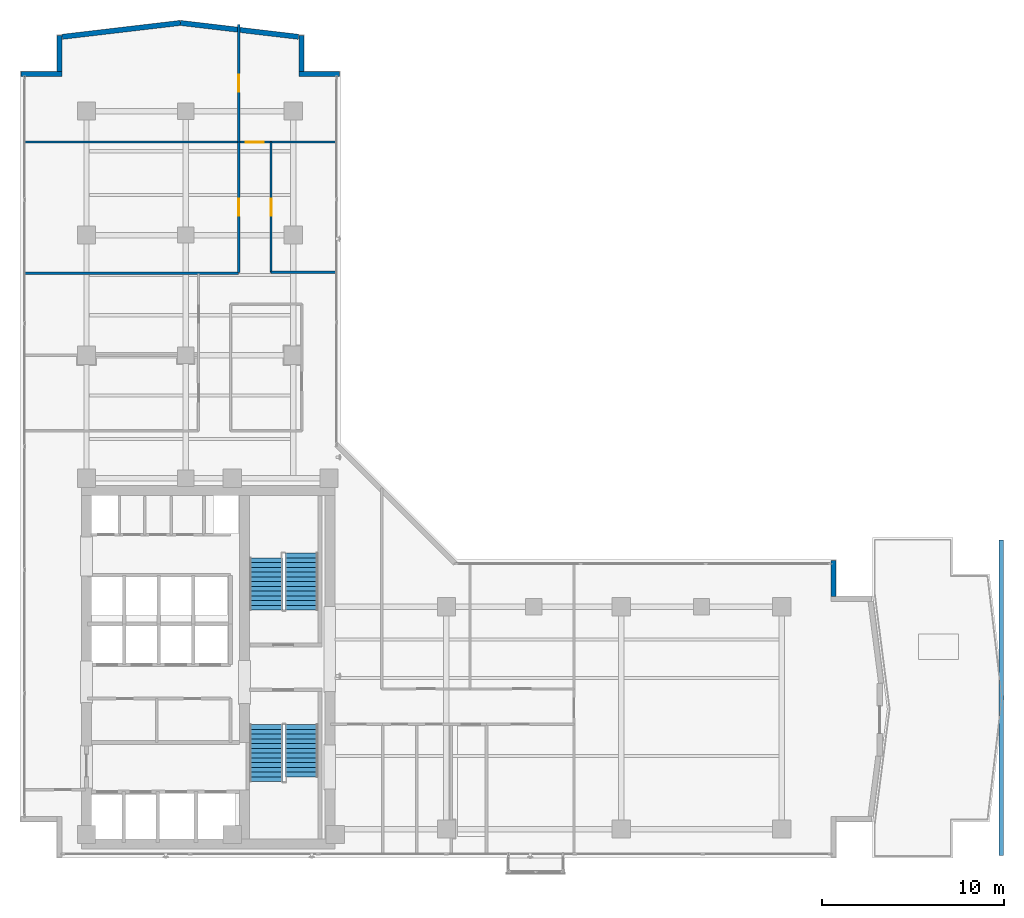
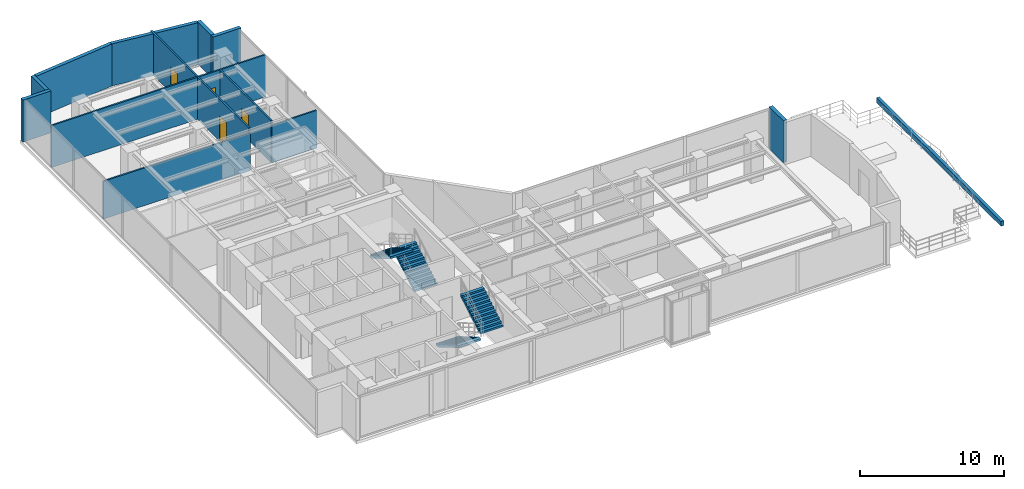
# One storey, part 19 of 25: 14 walls, 4 doors, 4 stair flights, 4 openings, 2 elements without a shape of their own.
"""IFC4 building model written with IfcOpenShell, lengths in metres."""

from ifc_helpers import new_model, si_unit, direction, frame, frame_2d, origin, place, context, subcontext, project, spatial, polyline, rectangle, outline, extrude, material, layer, layer_set, type_object, element, fill, aggregate, save


model = new_model("IFC4")

# Units and contexts
model_context = context("Model", 3, precision=1e-05, world=origin(), true_north=direction((0.0, 1.0)))
body_context = subcontext(model_context, "Body", "Model", "MODEL_VIEW")
ifc_project = project(units=[si_unit("LENGTHUNIT", "METRE"), si_unit("AREAUNIT", "SQUARE_METRE"), si_unit("VOLUMEUNIT", "CUBIC_METRE"), si_unit("PLANEANGLEUNIT", "RADIAN"), si_unit("MASSUNIT", "GRAM", prefix="KILO")], contexts=[model_context])

# Site, building, storey
site_placement = place(None, origin())
site = spatial("IfcSite", under=ifc_project, at=site_placement, CompositionType="ELEMENT")
building_placement = place(site_placement, origin())
building = spatial("IfcBuilding", under=site, at=building_placement, Name="Kolvaren Waterfront Exchange", CompositionType="ELEMENT")
storey_placement = place(building_placement, frame((0.0, 0.0, 204.5)))
storey = spatial("IfcBuildingStorey", under=building, at=storey_placement, Name="L52", CompositionType="ELEMENT", Elevation=204.5)

# Walls
ifc_material_1 = material(Name="Precast concrete C40/50", Category="concrete")
ifc_layer_1 = layer(ifc_material_1, 0.280029296875, Name="Precast concrete C40/50")
ifc_layer_set_1 = layer_set([ifc_layer_1], Name="Precast concrete C40/50")
wall_type_1 = type_object("IfcWallType", Name="ARC-EXT-TERR-280", PredefinedType="SOLIDWALL", material=ifc_layer_set_1)
wall_1_placement = place(storey_placement, frame((48.43994140625, 17.965087890625, 0.0), z_axis=(0.0, 0.0, 1.0), x_axis=(0.0, 1.0, 0.0)))
element("IfcWall", 1, at=wall_1_placement, inside=storey, type_object=wall_type_1, Name="L52 notched corner spandrel pier ENE-A", PredefinedType="SOLIDWALL", context=body_context, shape_type="SweptSolid", body=[
    extrude(rectangle(XDim=1.974853515625, YDim=0.280029296875, at=frame_2d((0.9873046875, 0.0))), origin(), (0.0, 0.0, 1.0), 3.56005859375),
])
wall_2_placement = place(storey_placement, frame((19.10009765625, 46.639892578125, 0.0), z_axis=(0.0, 0.0, 1.0), x_axis=(1.0, 0.0, 0.0)))
element("IfcWall", 2, at=wall_2_placement, inside=storey, type_object=wall_type_1, Name="L52 notched corner spandrel pier NNE-A", PredefinedType="SOLIDWALL", context=body_context, shape_type="SweptSolid", body=[
    extrude(rectangle(XDim=2.239990234375, YDim=0.280029296875, at=frame_2d((1.1201171875, 0.0))), origin(), (0.0, 0.0, 1.0), 3.56005859375),
])
wall_3_placement = place(storey_placement, frame((19.239990234375, 46.780029296875, 0.0), z_axis=(0.0, 0.0, 1.0), x_axis=(0.0, 1.0, 0.0)))
element("IfcWall", 3, at=wall_3_placement, inside=storey, type_object=wall_type_1, Name="L52 notched corner spandrel pier NNE-B", PredefinedType="SOLIDWALL", context=body_context, shape_type="SweptSolid", body=[
    extrude(rectangle(XDim=1.9599609375, YDim=0.280029296875, at=frame_2d((0.97998046875, 0.0))), origin(), (0.0, 0.0, 1.0), 3.56005859375),
])
wall_4_placement = place(storey_placement, frame((3.860107421875, 46.639892578125, 0.0), z_axis=(0.0, 0.0, 1.0), x_axis=(1.0, 0.0, 0.0)))
element("IfcWall", 4, at=wall_4_placement, inside=storey, type_object=wall_type_1, Name="L52 notched corner spandrel pier NW-A", PredefinedType="SOLIDWALL", context=body_context, shape_type="SweptSolid", body=[
    extrude(rectangle(XDim=2.239990234375, YDim=0.280029296875, at=frame_2d((1.1201171875, 0.0))), origin(), (0.0, 0.0, 1.0), 3.56005859375),
])
wall_5_placement = place(storey_placement, frame((5.9599609375, 46.780029296875, 0.0), z_axis=(0.0, 0.0, 1.0), x_axis=(0.0, 1.0, 0.0)))
element("IfcWall", 5, at=wall_5_placement, inside=storey, type_object=wall_type_1, Name="L52 notched corner spandrel pier NW-B", PredefinedType="SOLIDWALL", context=body_context, shape_type="SweptSolid", body=[
    extrude(rectangle(XDim=1.9599609375, YDim=0.280029296875, at=frame_2d((0.97998046875, 0.0))), origin(), (0.0, 0.0, 1.0), 3.56005859375),
])
for number, where, z_axis, x_axis, name in (
    (6, (19.08349609375, 48.676025390625, 0.0), (0.0, 0.0, 1.0), (-0.993149072278, 0.11685426921, 0.0), "L52 north prow faceted facade wall 1"),
    (7, (12.598876953125, 49.438720703125, 0.0), (0.0, 0.0, 1.0), (-0.993149072278, -0.11685426921, 0.0), "L52 north prow faceted facade wall 2"),
):
    element("IfcWall", number, at=place(storey_placement, frame(where, z_axis=z_axis, x_axis=x_axis)), inside=storey, type_object=wall_type_1, Name=name, PredefinedType="SOLIDWALL", context=body_context, shape_type="SweptSolid", body=[
        extrude(rectangle(XDim=6.52685546875, YDim=0.280029296875, at=frame_2d((3.263427734375, 0.0))), origin(), (0.0, 0.0, 1.0), 3.56005859375),
    ])
ifc_layer_2 = layer(ifc_material_1, 0.239990234375, Name="Precast concrete C40/50")
ifc_layer_set_2 = layer_set([ifc_layer_2], Name="Precast concrete C40/50")
wall_type_2 = type_object("IfcWallType", Name="ARC-PARAPET-240", PredefinedType="PARAPET", material=ifc_layer_set_2)
wall_6_placement = place(storey_placement, frame((57.64990234375, 3.75, 0.0), z_axis=(0.0, 0.0, 1.0), x_axis=(0.0, 1.0, 0.0)))
element("IfcWall", 8, at=wall_6_placement, inside=storey, type_object=wall_type_2, Name="L52 setback parapet kerb 1", PredefinedType="PARAPET", context=body_context, shape_type="SweptSolid", body=[
    extrude(rectangle(XDim=17.300048828125, YDim=0.239990234375, at=frame_2d((8.64990234375, 0.0))), origin(), (0.0, 0.0, 1.0), 0.419921875),
])
ifc_material_2 = material(Name="Acoustic gypsum steel stud", Category="steel")
ifc_layer_3 = layer(ifc_material_2, 0.125, Name="Acoustic gypsum steel stud")
ifc_layer_set_3 = layer_set([ifc_layer_3], Name="Acoustic gypsum steel stud")
wall_type_3 = type_object("IfcWallType", Name="ARC-PART-125", PredefinedType="PARTITIONING", material=ifc_layer_set_3)
wall_7_placement = place(storey_placement, frame((4.0400390625, 35.699951171875, 0.0), z_axis=(0.0, 0.0, 1.0), x_axis=(1.0, 0.0, 0.0)))
element("IfcWall", 9, at=wall_7_placement, inside=storey, type_object=wall_type_3, Name="L52 interior wall PW-L52-MWL-N", PredefinedType="PARTITIONING", context=body_context, shape_type="SweptSolid", body=[
    extrude(rectangle(XDim=11.760009765625, YDim=0.125, at=frame_2d((5.8798828125, 0.0))), origin(), (0.0, 0.0, 1.0), 3.199951171875),
])

# Wall, opening, door
wall_8_placement = place(storey_placement, frame((15.800048828125, 35.75, 0.0), z_axis=(0.0, 0.0, 1.0), x_axis=(0.0, 1.0, 0.0)))
wall_8 = element("IfcWall", 10, at=wall_8_placement, inside=storey, type_object=wall_type_3, Name="L52 interior wall PW-L52-NW-CORR", PredefinedType="PARTITIONING", context=body_context, shape_type="SweptSolid", body=[
    extrude(rectangle(XDim=7.14990234375, YDim=0.125, at=frame_2d((3.574951171875, 0.0))), origin(), (0.0, 0.0, 1.0), 3.56005859375),
])
opening_1_placement = place(wall_8_placement, frame((3.10009765625, 0.0, 0.0)))
opening_1 = element("IfcOpeningElement", 11, at=opening_1_placement, cuts=wall_8, Name="Opening D02", PredefinedType="OPENING", context=body_context, shape_type="SweptSolid", body=[
    extrude(rectangle(XDim=0.949951171875, YDim=2.14990234375, at=frame_2d((0.47509765625, 1.074951171875))), frame((0.0, 0.072509765625, 0.0), z_axis=(0.0, -1.0, 0.0), x_axis=(1.0, 0.0, 0.0)), (0.0, 0.0, 1.0), 0.14501953125),
])
ifc_material_3 = material(Name="Oak veneer acoustic timber", Category="wood")
door_type_1 = type_object("IfcDoorType", Name="ARC-DR-950", OperationType="NOTDEFINED", PredefinedType="DOOR", material=ifc_material_3)
door_1_placement = place(opening_1_placement, origin())
door_1 = element("IfcDoor", 12, at=door_1_placement, inside=storey, type_object=door_type_1, Name="L52 door DR-L52-NW-D-1 (D02)", OperationType="SINGLE_SWING_LEFT", OverallHeight=2.14990234375, OverallWidth=0.949951171875, PredefinedType="DOOR", context=body_context, shape_type="SweptSolid", body=[
    extrude(rectangle(XDim=0.949951171875, YDim=2.14990234375, at=frame_2d((0.47509765625, 1.074951171875))), frame((0.0, 0.02490234375, 0.0), z_axis=(0.0, -1.0, 0.0), x_axis=(1.0, 0.0, 0.0)), (0.0, 0.0, 1.0), 0.050048828125),
])
fill(opening_1, door_1)

wall_9_placement = place(storey_placement, frame((4.0400390625, 42.89990234375, 0.0), z_axis=(0.0, 0.0, 1.0), x_axis=(1.0, 0.0, 0.0)))
wall_9 = element("IfcWall", 13, at=wall_9_placement, inside=storey, type_object=wall_type_3, Name="L52 interior wall PW-L52-NTIP-S", PredefinedType="PARTITIONING", context=body_context, shape_type="SweptSolid", body=[
    extrude(rectangle(XDim=17.119873046875, YDim=0.125, at=frame_2d((8.56005859375, 0.0))), origin(), (0.0, 0.0, 1.0), 3.56005859375),
])
opening_2_placement = place(wall_9_placement, frame((12.14990234375, 0.0, 0.0)))
opening_2 = element("IfcOpeningElement", 14, at=opening_2_placement, cuts=wall_9, Name="Opening D03", PredefinedType="OPENING", context=body_context, shape_type="SweptSolid", body=[
    extrude(rectangle(XDim=1.0, YDim=2.199951171875, at=frame_2d((0.5, 1.10009765625))), frame((0.0, 0.072509765625, 0.0), z_axis=(0.0, -1.0, 0.0), x_axis=(1.0, 0.0, 0.0)), (0.0, 0.0, 1.0), 0.14501953125),
])
ifc_material_4 = material(Name="Oak veneer accessible timber", Category="wood")
door_type_2 = type_object("IfcDoorType", Name="ARC-DR-1000", OperationType="NOTDEFINED", PredefinedType="DOOR", material=ifc_material_4)
door_2_placement = place(opening_2_placement, origin())
door_2 = element("IfcDoor", 15, at=door_2_placement, inside=storey, type_object=door_type_2, Name="L52 door DR-L52-NTIPE-D (D03)", OperationType="SINGLE_SWING_RIGHT", OverallHeight=2.199951171875, OverallWidth=1.0, PredefinedType="DOOR", context=body_context, shape_type="SweptSolid", body=[
    extrude(rectangle(XDim=1.0, YDim=2.199951171875, at=frame_2d((0.5, 1.10009765625))), frame((0.0, 0.02490234375, 0.0), z_axis=(0.0, -1.0, 0.0), x_axis=(1.0, 0.0, 0.0)), (0.0, 0.0, 1.0), 0.050048828125),
])
fill(opening_2, door_2)

wall_10_placement = place(storey_placement, frame((15.800048828125, 42.89990234375, 0.0), z_axis=(0.0, 0.0, 1.0), x_axis=(0.0, 1.0, 0.0)))
wall_10 = element("IfcWall", 16, at=wall_10_placement, inside=storey, type_object=wall_type_3, Name="L52 interior wall PW-L52-NTIP-DIV", PredefinedType="PARTITIONING", context=body_context, shape_type="SweptSolid", body=[
    extrude(rectangle(XDim=6.460205078125, YDim=0.125, at=frame_2d((3.22998046875, 0.0))), origin(), (0.0, 0.0, 1.0), 3.56005859375),
])
opening_3_placement = place(wall_10_placement, frame((2.75, 0.0, 0.0)))
opening_3 = element("IfcOpeningElement", 17, at=opening_3_placement, cuts=wall_10, Name="Opening D02", PredefinedType="OPENING", context=body_context, shape_type="SweptSolid", body=[
    extrude(rectangle(XDim=0.949951171875, YDim=2.14990234375, at=frame_2d((0.47509765625, 1.074951171875))), frame((0.0, 0.072509765625, 0.0), z_axis=(0.0, -1.0, 0.0), x_axis=(1.0, 0.0, 0.0)), (0.0, 0.0, 1.0), 0.14501953125),
])
door_3_placement = place(opening_3_placement, origin())
door_3 = element("IfcDoor", 18, at=door_3_placement, inside=storey, type_object=door_type_1, Name="L52 door DR-L52-NTIPW-D (D02)", OperationType="SINGLE_SWING_LEFT", OverallHeight=2.14990234375, OverallWidth=0.949951171875, PredefinedType="DOOR", context=body_context, shape_type="SweptSolid", body=[
    extrude(rectangle(XDim=0.949951171875, YDim=2.14990234375, at=frame_2d((0.47509765625, 1.074951171875))), frame((0.0, 0.02490234375, 0.0), z_axis=(0.0, -1.0, 0.0), x_axis=(1.0, 0.0, 0.0)), (0.0, 0.0, 1.0), 0.050048828125),
])
fill(opening_3, door_3)

# Wall
wall_11_placement = place(storey_placement, frame((17.580078125, 35.75, 0.0), z_axis=(0.0, 0.0, 1.0), x_axis=(1.0, 0.0, 0.0)))
element("IfcWall", 19, at=wall_11_placement, inside=storey, type_object=wall_type_3, Name="L52 interior wall PW-L52-NE-S0", PredefinedType="PARTITIONING", context=body_context, shape_type="SweptSolid", body=[
    extrude(rectangle(XDim=3.579833984375, YDim=0.125, at=frame_2d((1.7900390625, 0.0))), origin(), (0.0, 0.0, 1.0), 3.199951171875),
])

# Wall, opening, door
wall_12_placement = place(storey_placement, frame((17.580078125, 35.75, 0.0), z_axis=(0.0, 0.0, 1.0), x_axis=(0.0, 1.0, 0.0)))
wall_12 = element("IfcWall", 20, at=wall_12_placement, inside=storey, type_object=wall_type_3, Name="L52 interior wall PW-L52-NE-CORR", PredefinedType="PARTITIONING", context=body_context, shape_type="SweptSolid", body=[
    extrude(rectangle(XDim=7.14990234375, YDim=0.125, at=frame_2d((3.574951171875, 0.0))), origin(), (0.0, 0.0, 1.0), 3.56005859375),
])
opening_4_placement = place(wall_12_placement, frame((3.10009765625, 0.0, 0.0)))
opening_4 = element("IfcOpeningElement", 21, at=opening_4_placement, cuts=wall_12, Name="Opening D02", PredefinedType="OPENING", context=body_context, shape_type="SweptSolid", body=[
    extrude(rectangle(XDim=0.949951171875, YDim=2.14990234375, at=frame_2d((0.47509765625, 1.074951171875))), frame((0.0, 0.072509765625, 0.0), z_axis=(0.0, -1.0, 0.0), x_axis=(1.0, 0.0, 0.0)), (0.0, 0.0, 1.0), 0.14501953125),
])
door_4_placement = place(opening_4_placement, origin())
door_4 = element("IfcDoor", 22, at=door_4_placement, inside=storey, type_object=door_type_1, Name="L52 door DR-L52-NE-D-1 (D02)", OperationType="SINGLE_SWING_RIGHT", OverallHeight=2.14990234375, OverallWidth=0.949951171875, PredefinedType="DOOR", context=body_context, shape_type="SweptSolid", body=[
    extrude(rectangle(XDim=0.949951171875, YDim=2.14990234375, at=frame_2d((0.47509765625, 1.074951171875))), frame((0.0, 0.02490234375, 0.0), z_axis=(0.0, -1.0, 0.0), x_axis=(1.0, 0.0, 0.0)), (0.0, 0.0, 1.0), 0.050048828125),
])
fill(opening_4, door_4)

# Stair, stair flights
ifc_material_5 = material(Name="Concrete C40/50", Category="concrete")
stair_type = type_object("IfcStairType", Name="ARC-STAIR-3800", PredefinedType="HALF_TURN_STAIR", material=ifc_material_5)
stair_1_placement = place(storey_placement, origin())
stair_1 = element("IfcStair", 23, at=stair_1_placement, inside=storey, type_object=stair_type, Name="L52 Smoke-proof exit stair ST1", PredefinedType="HALF_TURN_STAIR")
stair_flight_type = type_object("IfcStairFlightType", Name="ARC-FLIGHT-3800", PredefinedType="STRAIGHT", material=ifc_material_5)
stair_flight_1_placement = place(storey_placement, frame((17.300048828125, 10.929931640625, 0.0), z_axis=(0.0, 0.0, 1.0), x_axis=(0.0, -1.0, 0.0)))
stair_flight_1 = element("IfcStairFlight", 24, at=stair_flight_1_placement, type_object=stair_flight_type, Name="ST1 flight 1", NumberOfRisers=13, NumberOfTreads=12, PredefinedType="STRAIGHT", RiserHeight=0.152, TreadLength=0.26, context=body_context, shape_type="SweptSolid", body=[
    extrude(outline(polyline([(0.0, 0.0), (0.0, 0.152099609375), (0.260009765625, 0.152099609375), (0.260009765625, 0.303955078125), (0.52001953125, 0.303955078125), (0.52001953125, 0.4560546875), (0.780029296875, 0.4560546875), (0.780029296875, 0.60791015625), (1.0400390625, 0.60791015625), (1.0400390625, 0.760009765625), (1.300048828125, 0.760009765625), (1.300048828125, 0.912109375), (1.56005859375, 0.912109375), (1.56005859375, 1.06396484375), (1.820068359375, 1.06396484375), (1.820068359375, 1.216064453125), (2.080078125, 1.216064453125), (2.080078125, 1.367919921875), (2.340087890625, 1.367919921875), (2.340087890625, 1.52001953125), (2.60009765625, 1.52001953125), (2.60009765625, 1.672119140625), (2.860107421875, 1.672119140625), (2.860107421875, 1.823974609375), (3.1201171875, 1.823974609375), (3.1201171875, 1.97607421875), (3.1201171875, 1.650390625), (0.297119140625, 0.0), (0.0, 0.0)])), frame((0.0, 0.89990234375, 0.0), z_axis=(0.0, -1.0, 0.0), x_axis=(1.0, 0.0, 0.0)), (0.0, 0.0, 1.0), 1.800048828125),
])
stair_flight_2_placement = place(storey_placement, frame((19.260009765625, 8.070068359375, 1.97607421875), z_axis=(0.0, 0.0, 1.0), x_axis=(0.0, 1.0, 0.0)))
stair_flight_2 = element("IfcStairFlight", 25, at=stair_flight_2_placement, type_object=stair_flight_type, Name="ST1 flight 2", NumberOfRisers=12, NumberOfTreads=11, PredefinedType="STRAIGHT", RiserHeight=0.152, TreadLength=0.26, context=body_context, shape_type="SweptSolid", body=[
    extrude(outline(polyline([(0.0, 0.0), (0.0, 0.152099609375), (0.260009765625, 0.152099609375), (0.260009765625, 0.303955078125), (0.52001953125, 0.303955078125), (0.52001953125, 0.4560546875), (0.780029296875, 0.4560546875), (0.780029296875, 0.60791015625), (1.0400390625, 0.60791015625), (1.0400390625, 0.760009765625), (1.300048828125, 0.760009765625), (1.300048828125, 0.912109375), (1.56005859375, 0.912109375), (1.56005859375, 1.06396484375), (1.820068359375, 1.06396484375), (1.820068359375, 1.216064453125), (2.080078125, 1.216064453125), (2.080078125, 1.367919921875), (2.340087890625, 1.367919921875), (2.340087890625, 1.52001953125), (2.60009765625, 1.52001953125), (2.60009765625, 1.672119140625), (2.860107421875, 1.672119140625), (2.860107421875, 1.823974609375), (2.860107421875, 1.498291015625), (0.297119140625, 0.0), (0.0, 0.0)])), frame((0.0, 0.89990234375, 0.0), z_axis=(0.0, -1.0, 0.0), x_axis=(1.0, 0.0, 0.0)), (0.0, 0.0, 1.0), 1.800048828125),
])
aggregate(stair_1, [stair_flight_1, stair_flight_2])

stair_2_placement = place(storey_placement, origin())
stair_2 = element("IfcStair", 26, at=stair_2_placement, inside=storey, type_object=stair_type, Name="L52 Smoke-proof exit stair ST2", PredefinedType="HALF_TURN_STAIR")
stair_flight_3_placement = place(storey_placement, frame((19.260009765625, 17.219970703125, 0.0), z_axis=(0.0, 0.0, 1.0), x_axis=(0.0, 1.0, 0.0)))
stair_flight_3 = element("IfcStairFlight", 27, at=stair_flight_3_placement, type_object=stair_flight_type, Name="ST2 flight 1", NumberOfRisers=13, NumberOfTreads=12, PredefinedType="STRAIGHT", RiserHeight=0.152, TreadLength=0.26, context=body_context, shape_type="SweptSolid", body=[
    extrude(outline(polyline([(0.0, 0.0), (0.0, 0.152099609375), (0.260009765625, 0.152099609375), (0.260009765625, 0.303955078125), (0.52001953125, 0.303955078125), (0.52001953125, 0.4560546875), (0.780029296875, 0.4560546875), (0.780029296875, 0.60791015625), (1.0400390625, 0.60791015625), (1.0400390625, 0.760009765625), (1.300048828125, 0.760009765625), (1.300048828125, 0.912109375), (1.56005859375, 0.912109375), (1.56005859375, 1.06396484375), (1.820068359375, 1.06396484375), (1.820068359375, 1.216064453125), (2.080078125, 1.216064453125), (2.080078125, 1.367919921875), (2.340087890625, 1.367919921875), (2.340087890625, 1.52001953125), (2.60009765625, 1.52001953125), (2.60009765625, 1.672119140625), (2.860107421875, 1.672119140625), (2.860107421875, 1.823974609375), (3.1201171875, 1.823974609375), (3.1201171875, 1.97607421875), (3.1201171875, 1.650390625), (0.297119140625, 0.0), (0.0, 0.0)])), frame((0.0, 0.89990234375, 0.0), z_axis=(0.0, -1.0, 0.0), x_axis=(1.0, 0.0, 0.0)), (0.0, 0.0, 1.0), 1.800048828125),
])
stair_flight_4_placement = place(storey_placement, frame((17.300048828125, 20.080078125, 1.97607421875), z_axis=(0.0, 0.0, 1.0), x_axis=(0.0, -1.0, 0.0)))
stair_flight_4 = element("IfcStairFlight", 28, at=stair_flight_4_placement, type_object=stair_flight_type, Name="ST2 flight 2", NumberOfRisers=12, NumberOfTreads=11, PredefinedType="STRAIGHT", RiserHeight=0.152, TreadLength=0.26, context=body_context, shape_type="SweptSolid", body=[
    extrude(outline(polyline([(0.0, 0.0), (0.0, 0.152099609375), (0.260009765625, 0.152099609375), (0.260009765625, 0.303955078125), (0.52001953125, 0.303955078125), (0.52001953125, 0.4560546875), (0.780029296875, 0.4560546875), (0.780029296875, 0.60791015625), (1.0400390625, 0.60791015625), (1.0400390625, 0.760009765625), (1.300048828125, 0.760009765625), (1.300048828125, 0.912109375), (1.56005859375, 0.912109375), (1.56005859375, 1.06396484375), (1.820068359375, 1.06396484375), (1.820068359375, 1.216064453125), (2.080078125, 1.216064453125), (2.080078125, 1.367919921875), (2.340087890625, 1.367919921875), (2.340087890625, 1.52001953125), (2.60009765625, 1.52001953125), (2.60009765625, 1.672119140625), (2.860107421875, 1.672119140625), (2.860107421875, 1.823974609375), (2.860107421875, 1.498291015625), (0.297119140625, 0.0), (0.0, 0.0)])), frame((0.0, 0.89990234375, 0.0), z_axis=(0.0, -1.0, 0.0), x_axis=(1.0, 0.0, 0.0)), (0.0, 0.0, 1.0), 1.800048828125),
])
aggregate(stair_2, [stair_flight_3, stair_flight_4])

save(model, "model.ifc")
